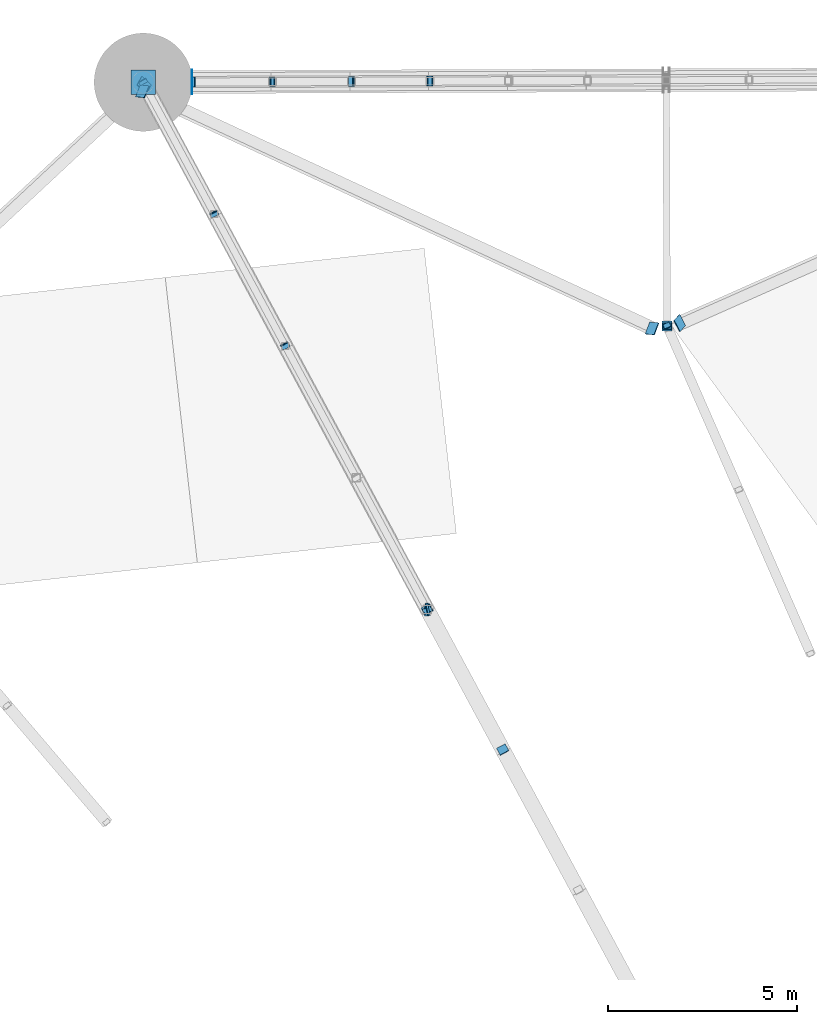
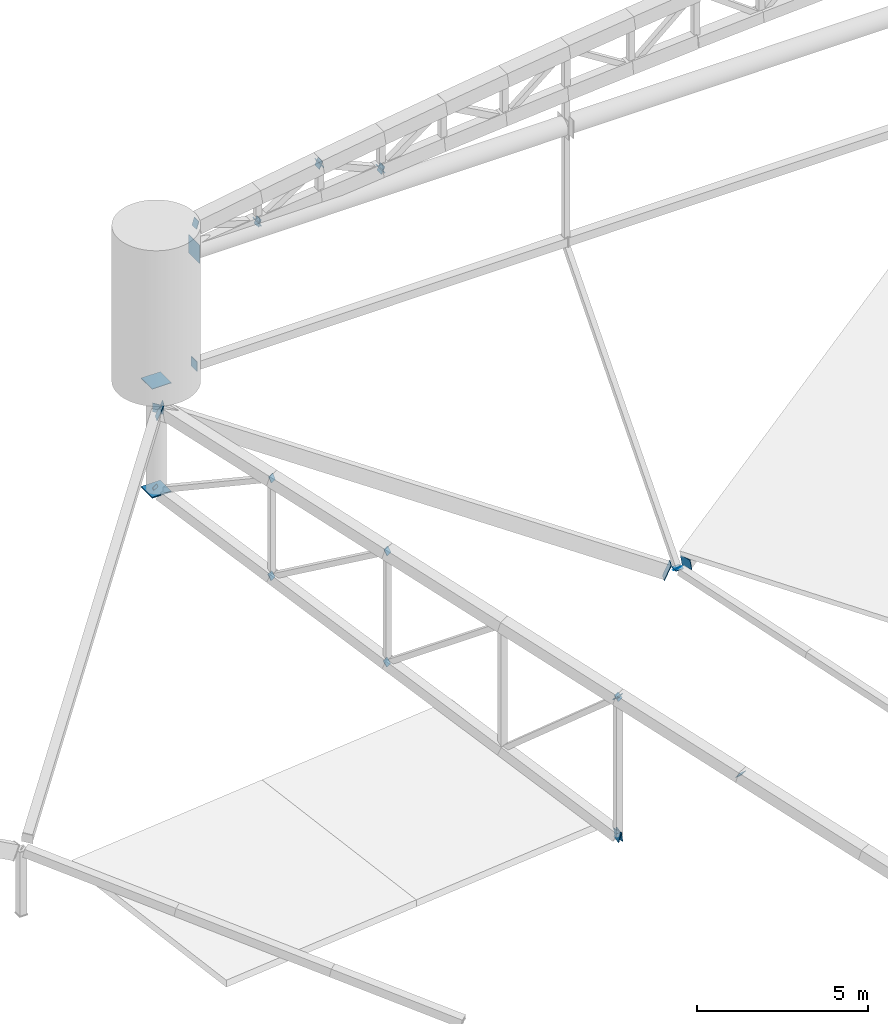
# One storey, part 168 of 188: 29 discrete accessories.
"""IFC4 building model written with IfcOpenShell, lengths in metres."""

from ifc_helpers import new_model, si_unit, direction, frame, origin, origin_2d, place, context, subcontext, project, spatial, rectangle, extrude, material, material_profile, profile_set, type_object, element, save


model = new_model("IFC4")

# Units and contexts
model_context = context("Model", 3, precision=1e-05, world=origin(), true_north=direction((0.0, 1.0)))
body_context = subcontext(model_context, "Body", "Model", "MODEL_VIEW")
ifc_project = project(units=[si_unit("LENGTHUNIT", "METRE"), si_unit("AREAUNIT", "SQUARE_METRE"), si_unit("VOLUMEUNIT", "CUBIC_METRE"), si_unit("PLANEANGLEUNIT", "RADIAN"), si_unit("MASSUNIT", "GRAM", prefix="KILO")], contexts=[model_context])

# Site, building, storey
site_placement = place(None, origin())
site = spatial("IfcSite", under=ifc_project, at=site_placement, CompositionType="ELEMENT")
building_placement = place(site_placement, origin())
building = spatial("IfcBuilding", under=site, at=building_placement, Name="Meseta Stadium", CompositionType="ELEMENT")
storey_placement = place(building_placement, frame((0.0, 0.0, 30.0)))
storey = spatial("IfcBuildingStorey", under=building, at=storey_placement, Name="ROOF", CompositionType="ELEMENT", Elevation=30.0)

# Discrete accessories
ifc_material_1 = material(Name="Steel S355", Category="steel")
ifc_material_profile_1 = material_profile(ifc_material_1, rectangle(XDim=0.179931640625, YDim=0.179931640625, at=origin_2d()), Name="PL 180x180")
ifc_profile_set_1 = profile_set([ifc_material_profile_1], Name="Steel S355")
discrete_accessory_type_1 = type_object("IfcDiscreteAccessoryType", Name="End plate 180x180x20", PredefinedType="ANCHORPLATE", material=ifc_profile_set_1)
discrete_accessory_1_placement = place(storey_placement, frame((-38.333251953125, 98.60009765625, 3.677978515625), z_axis=(-0.305995030681, 0.673189067498, 0.673189067498), x_axis=(-0.910366477463, -0.413802944301, 0.0)))
element("IfcDiscreteAccessory", 1, at=discrete_accessory_1_placement, inside=storey, type_object=discrete_accessory_type_1, Name="End plate of ROOF TRUSS RT-21 diagonal", PredefinedType="ANCHORPLATE", context=body_context, shape_type="SweptSolid", body=[
    extrude(rectangle(XDim=0.179931640625, YDim=0.179931640625, at=origin_2d()), origin(), (0.0, 0.0, 1.0), 0.02001953125),
])
ifc_material_2 = material(Name="Steel S355", Category="steel")
ifc_material_profile_2 = material_profile(ifc_material_2, rectangle(XDim=0.219970703125, YDim=0.219970703125, at=origin_2d()), Name="PL 220x220")
ifc_profile_set_2 = profile_set([ifc_material_profile_2], Name="Steel S355")
discrete_accessory_type_2 = type_object("IfcDiscreteAccessoryType", Name="End plate 220x220x20", PredefinedType="ANCHORPLATE", material=ifc_profile_set_2)
discrete_accessory_2_placement = place(storey_placement, frame((-44.67529296875, 91.077392578125, 5.87255859375), z_axis=(-0.368465851911, 0.675520728504, -0.638674143313), x_axis=(-0.877895572914, -0.478852130681, 0.0)))
element("IfcDiscreteAccessory", 2, at=discrete_accessory_2_placement, inside=storey, type_object=discrete_accessory_type_2, Name="End plate of ROOF TRUSS RT-22 diagonal", PredefinedType="ANCHORPLATE", context=body_context, shape_type="SweptSolid", body=[
    extrude(rectangle(XDim=0.219970703125, YDim=0.219970703125, at=origin_2d()), origin(), (0.0, 0.0, 1.0), 0.019775390625),
])
for number, where, z_axis, x_axis, name in (
    (3, (-48.442626953125, 98.0712890625, 4.1865234375), (-0.390534413834, 0.720047825506, -0.573597420318), (-0.879031855697, -0.476763040378, 0.0), "End plate of ROOF TRUSS RT-22 diagonal"),
    (4, (-48.4345703125, 98.05615234375, 8.156982421875), (-0.403249456213, 0.757620190461, -0.513226580635), (-0.882746759079, -0.469849081445, 0.0), "End plate of ROOF TRUSS RT-22 diagonal"),
):
    element("IfcDiscreteAccessory", number, at=place(storey_placement, frame(where, z_axis=z_axis, x_axis=x_axis)), inside=storey, type_object=discrete_accessory_type_2, Name=name, PredefinedType="ANCHORPLATE", context=body_context, shape_type="SweptSolid", body=[
        extrude(rectangle(XDim=0.219970703125, YDim=0.219970703125, at=origin_2d()), origin(), (0.0, 0.0, 1.0), 0.02001953125),
    ])
discrete_accessory_3_placement = place(storey_placement, frame((-50.32275390625, 101.5615234375, 5.81005859375), z_axis=(-0.4057717842, 0.762359109709, -0.504140701582), x_axis=(-0.882746759079, -0.469849081445, 0.0)))
element("IfcDiscreteAccessory", 5, at=discrete_accessory_3_placement, inside=storey, type_object=discrete_accessory_type_2, Name="End plate of ROOF TRUSS RT-22 diagonal", PredefinedType="ANCHORPLATE", context=body_context, shape_type="SweptSolid", body=[
    extrude(rectangle(XDim=0.219970703125, YDim=0.219970703125, at=origin_2d()), origin(), (0.0, 0.0, 1.0), 0.019775390625),
])
for number, where, z_axis, x_axis, name in (
    (6, (-50.314208984375, 101.54541015625, 9.298828125), (-0.42425021587, 0.800014692783, -0.42425021587), (-0.883462102068, -0.468502629885, 0.0), "End plate of ROOF TRUSS RT-22 diagonal"),
    (7, (-52.202880859375, 105.0517578125, 7.433837890625), (-0.428393042953, 0.795587079771, -0.428393042953), (-0.880471099922, -0.474099823035, 0.0), "End plate of ROOF TRUSS RT-22 diagonal"),
    (8, (-38.333251953125, 98.60009765625, 3.677978515625), (0.0, -0.656780744804, -0.754081595886), (1.0, 0.0, 0.0), "End plate of GABLE ARCH GA-N hanger RT-21"),
):
    element("IfcDiscreteAccessory", number, at=place(storey_placement, frame(where, z_axis=z_axis, x_axis=x_axis)), inside=storey, type_object=discrete_accessory_type_2, Name=name, PredefinedType="ANCHORPLATE", context=body_context, shape_type="SweptSolid", body=[
        extrude(rectangle(XDim=0.219970703125, YDim=0.219970703125, at=origin_2d()), origin(), (0.0, 0.0, 1.0), 0.02001953125),
    ])
ifc_material_3 = material(Name="Steel S355", Category="steel")
ifc_material_profile_3 = material_profile(ifc_material_3, rectangle(XDim=0.260009765625, YDim=0.260009765625, at=origin_2d()), Name="PL 260x260")
ifc_profile_set_3 = profile_set([ifc_material_profile_3], Name="Steel S355")
discrete_accessory_type_3 = type_object("IfcDiscreteAccessoryType", Name="End plate 260x260x20", PredefinedType="ANCHORPLATE", material=ifc_profile_set_3)
for number, where, z_axis, x_axis, name in (
    (9, (-38.333251953125, 98.60009765625, 3.677978515625), (0.0, 0.0, 1.0), (1.0, 0.0, 0.0), "End plate of ROOF TRUSS RT-21 post"),
    (10, (-42.682373046875, 87.3779296875, 4.643310546875), (-0.305195937649, 0.561560525275, 0.769093762876), (-0.878624509573, -0.47751332042, 0.0), "End plate of ROOF TRUSS RT-22 diagonal"),
):
    element("IfcDiscreteAccessory", number, at=place(storey_placement, frame(where, z_axis=z_axis, x_axis=x_axis)), inside=storey, type_object=discrete_accessory_type_3, Name=name, PredefinedType="ANCHORPLATE", context=body_context, shape_type="SweptSolid", body=[
        extrude(rectangle(XDim=0.260009765625, YDim=0.260009765625, at=origin_2d()), origin(), (0.0, 0.0, 1.0), 0.02001953125),
    ])
discrete_accessory_4_placement = place(storey_placement, frame((-44.6826171875, 91.0908203125, 5.85986328125), z_axis=(-0.2830461079, 0.529173158248, 0.79991291363), x_axis=(-0.881784641935, -0.471652250337, 0.0)))
element("IfcDiscreteAccessory", 11, at=discrete_accessory_4_placement, inside=storey, type_object=discrete_accessory_type_3, Name="End plate of ROOF TRUSS RT-22 diagonal", PredefinedType="ANCHORPLATE", context=body_context, shape_type="SweptSolid", body=[
    extrude(rectangle(XDim=0.260009765625, YDim=0.260009765625, at=origin_2d()), origin(), (0.0, 0.0, 1.0), 0.019775390625),
])
for number, where, z_axis, x_axis, name in (
    (12, (-44.610595703125, 105.080810546875, 16.203369140625), (-0.802910201746, 0.0, -0.596099998266), (0.0, -1.0, 0.0), "End plate of GABLE ARCH GA-N diagonal"),
    (13, (-44.59228515625, 105.0810546875, 16.1953125), (-0.915246875378, -0.012203291672, 0.402708625166), (0.013332148306, -0.999911122961, 0.0), "End plate of GABLE ARCH GA-N diagonal"),
    (14, (-46.694580078125, 105.07275390625, 17.121826171875), (-0.915315032423, 0.0, 0.402738614266), (0.0, -1.0, 0.0), "End plate of GABLE ARCH GA-N diagonal"),
):
    element("IfcDiscreteAccessory", number, at=place(storey_placement, frame(where, z_axis=z_axis, x_axis=x_axis)), inside=storey, type_object=discrete_accessory_type_3, Name=name, PredefinedType="ANCHORPLATE", context=body_context, shape_type="SweptSolid", body=[
        extrude(rectangle(XDim=0.260009765625, YDim=0.260009765625, at=origin_2d()), origin(), (0.0, 0.0, 1.0), 0.02001953125),
    ])
discrete_accessory_5_placement = place(storey_placement, frame((-46.677978515625, 105.072998046875, 17.132568359375), z_axis=(-0.83950617284, -0.012345679012, -0.543209876543), x_axis=(0.014704292442, -0.999891886048, 0.0)))
element("IfcDiscreteAccessory", 15, at=discrete_accessory_5_placement, inside=storey, type_object=discrete_accessory_type_3, Name="End plate of GABLE ARCH GA-N diagonal", PredefinedType="ANCHORPLATE", context=body_context, shape_type="SweptSolid", body=[
    extrude(rectangle(XDim=0.260009765625, YDim=0.260009765625, at=origin_2d()), origin(), (0.0, 0.0, 1.0), 0.019775390625),
])
for number, where, z_axis, x_axis, name in (
    (16, (-48.77880859375, 105.06494140625, 15.78125), (-0.843095010527, -0.012218768269, -0.537625803814), (0.014491231835, -0.999894996587, 0.0), "End plate of GABLE ARCH GA-N diagonal"),
    (17, (-48.759765625, 105.06494140625, 15.775146484375), (-0.952282288042, 0.0, 0.305218682065), (0.0, -1.0, 0.0), "End plate of GABLE ARCH GA-N diagonal"),
    (18, (-50.86279296875, 105.056884765625, 16.449951171875), (-0.952211325466, -0.012207837506, 0.305195937649), (0.012819459325, -0.999917827355, 0.0), "End plate of GABLE ARCH GA-N diagonal"),
):
    element("IfcDiscreteAccessory", number, at=place(storey_placement, frame(where, z_axis=z_axis, x_axis=x_axis)), inside=storey, type_object=discrete_accessory_type_3, Name=name, PredefinedType="ANCHORPLATE", context=body_context, shape_type="SweptSolid", body=[
        extrude(rectangle(XDim=0.260009765625, YDim=0.260009765625, at=origin_2d()), origin(), (0.0, 0.0, 1.0), 0.02001953125),
    ])
ifc_material_4 = material(Name="Steel S355", Category="steel")
ifc_material_profile_4 = material_profile(ifc_material_4, rectangle(XDim=0.340087890625, YDim=0.340087890625, at=origin_2d()), Name="PL 340x340")
ifc_profile_set_4 = profile_set([ifc_material_profile_4], Name="Steel S355")
discrete_accessory_type_4 = type_object("IfcDiscreteAccessoryType", Name="End plate 340x340x20", PredefinedType="ANCHORPLATE", material=ifc_profile_set_4)
for number, where, z_axis, x_axis, name in (
    (19, (-44.6826171875, 91.0908203125, 0.939453125), (-0.963557946105, 0.10977242424, 0.243938720533), (-0.113191877531, -0.993573147212, 0.0), "End plate of ROOF PIVOT STRUT RT-21/22"),
    (20, (-44.663330078125, 91.09521484375, 0.9423828125), (-0.964491035325, -0.219757451087, -0.146504967391), (0.222154512829, -0.975011472973, 0.0), "End plate of ROOF PIVOT STRUT RT-22/23"),
    (21, (-50.90283203125, 105.056640625, 11.449951171875), (-1.0, 0.0, 0.0), (0.0, -1.0, 0.0), "End plate of GABLE ARCH GA-N sill beam 06"),
):
    element("IfcDiscreteAccessory", number, at=place(storey_placement, frame(where, z_axis=z_axis, x_axis=x_axis)), inside=storey, type_object=discrete_accessory_type_4, Name=name, PredefinedType="ANCHORPLATE", context=body_context, shape_type="SweptSolid", body=[
        extrude(rectangle(XDim=0.340087890625, YDim=0.340087890625, at=origin_2d()), origin(), (0.0, 0.0, 1.0), 0.02001953125),
    ])
ifc_material_5 = material(Name="Steel S355", Category="steel")
ifc_material_profile_5 = material_profile(ifc_material_5, rectangle(XDim=0.340087890625, YDim=0.5400390625, at=origin_2d()), Name="PL 340x540")
ifc_profile_set_5 = profile_set([ifc_material_profile_5], Name="Steel S355")
discrete_accessory_type_5 = type_object("IfcDiscreteAccessoryType", Name="End plate 340x540x20", PredefinedType="ANCHORPLATE", material=ifc_profile_set_5)
discrete_accessory_6_placement = place(storey_placement, frame((-37.993408203125, 98.678466796875, 3.727783203125), z_axis=(-0.847504831008, -0.375323568018, -0.375323568018), x_axis=(0.451726350194, -0.88130563359, -0.138721608783)))
element("IfcDiscreteAccessory", 22, at=discrete_accessory_6_placement, inside=storey, type_object=discrete_accessory_type_5, Name="End plate of RIM RING BEAM 21", PredefinedType="ANCHORPLATE", context=body_context, shape_type="SweptSolid", body=[
    extrude(rectangle(XDim=0.340087890625, YDim=0.5400390625, at=origin_2d()), origin(), (0.0, 0.0, 1.0), 0.020263671875),
])
discrete_accessory_7_placement = place(storey_placement, frame((-38.7216796875, 98.52783203125, 3.771728515625), z_axis=(-0.828221974607, 0.377571782542, 0.414110987304), x_axis=(-0.354819954234, -0.925282065828, 0.13399962214)))
element("IfcDiscreteAccessory", 23, at=discrete_accessory_7_placement, inside=storey, type_object=discrete_accessory_type_5, Name="End plate of RIM RING BEAM 22", PredefinedType="ANCHORPLATE", context=body_context, shape_type="SweptSolid", body=[
    extrude(rectangle(XDim=0.340087890625, YDim=0.5400390625, at=origin_2d()), origin(), (0.0, 0.0, 1.0), 0.02001953125),
])
discrete_accessory_8_placement = place(storey_placement, frame((-52.21435546875, 104.803955078125, 10.386962890625), z_axis=(-0.82458806144, 0.393833103971, 0.40614038847), x_axis=(-0.372330659679, -0.918298583708, 0.134527287279)))
element("IfcDiscreteAccessory", 24, at=discrete_accessory_8_placement, inside=storey, type_object=discrete_accessory_type_5, Name="End plate of RIM RING BEAM 22", PredefinedType="ANCHORPLATE", context=body_context, shape_type="SweptSolid", body=[
    extrude(rectangle(XDim=0.340087890625, YDim=0.5400390625, at=origin_2d()), origin(), (0.0, 0.0, 1.0), 0.019775390625),
])
discrete_accessory_9_placement = place(storey_placement, frame((-52.175537109375, 104.984375, 10.352783203125), z_axis=(-0.655569641534, -0.607008927346, -0.449186606236), x_axis=(0.7203616774, -0.681138004922, -0.130881900905)))
element("IfcDiscreteAccessory", 25, at=discrete_accessory_9_placement, inside=storey, type_object=discrete_accessory_type_5, Name="End plate of RIM RING BEAM 23", PredefinedType="ANCHORPLATE", context=body_context, shape_type="SweptSolid", body=[
    extrude(rectangle(XDim=0.340087890625, YDim=0.5400390625, at=origin_2d()), origin(), (0.0, 0.0, 1.0), 0.02001953125),
])
ifc_material_6 = material(Name="Steel S355", Category="steel")
ifc_material_profile_6 = material_profile(ifc_material_6, rectangle(XDim=0.64990234375, YDim=0.64990234375, at=origin_2d()), Name="PL 650x650")
ifc_profile_set_6 = profile_set([ifc_material_profile_6], Name="Steel S355")
discrete_accessory_type_6 = type_object("IfcDiscreteAccessoryType", Name="End plate 650x650x20", PredefinedType="ANCHORPLATE", material=ifc_profile_set_6)
discrete_accessory_10_placement = place(storey_placement, frame((-52.202880859375, 105.0517578125, 7.433837890625), z_axis=(0.0, 0.0, 1.0), x_axis=(1.0, 0.0, 0.0)))
element("IfcDiscreteAccessory", 26, at=discrete_accessory_10_placement, inside=storey, type_object=discrete_accessory_type_6, Name="End plate of GABLE ARCH GA-N pylon post", PredefinedType="ANCHORPLATE", context=body_context, shape_type="SweptSolid", body=[
    extrude(rectangle(XDim=0.64990234375, YDim=0.64990234375, at=origin_2d()), origin(), (0.0, 0.0, 1.0), 0.019775390625),
])
for number, where, z_axis, x_axis, name in (
    (27, (-52.202880859375, 105.0517578125, 7.413818359375), (0.0, 0.0, 1.0), (1.0, 0.0, 0.0), "End plate of GABLE ARCH GA-N pylon post"),
    (28, (-52.202880859375, 105.0517578125, 11.300048828125), (0.0, 0.0, 1.0), (1.0, 0.0, 0.0), "End plate of GABLE ARCH GA-N pylon post"),
    (29, (-50.90283203125, 105.056640625, 15.550048828125), (-1.0, 0.0, 0.0), (0.0, -1.0, 0.0), "End plate of GABLE ARCH GA-N tie 06"),
):
    element("IfcDiscreteAccessory", number, at=place(storey_placement, frame(where, z_axis=z_axis, x_axis=x_axis)), inside=storey, type_object=discrete_accessory_type_6, Name=name, PredefinedType="ANCHORPLATE", context=body_context, shape_type="SweptSolid", body=[
        extrude(rectangle(XDim=0.64990234375, YDim=0.64990234375, at=origin_2d()), origin(), (0.0, 0.0, 1.0), 0.02001953125),
    ])

save(model, "model.ifc")
